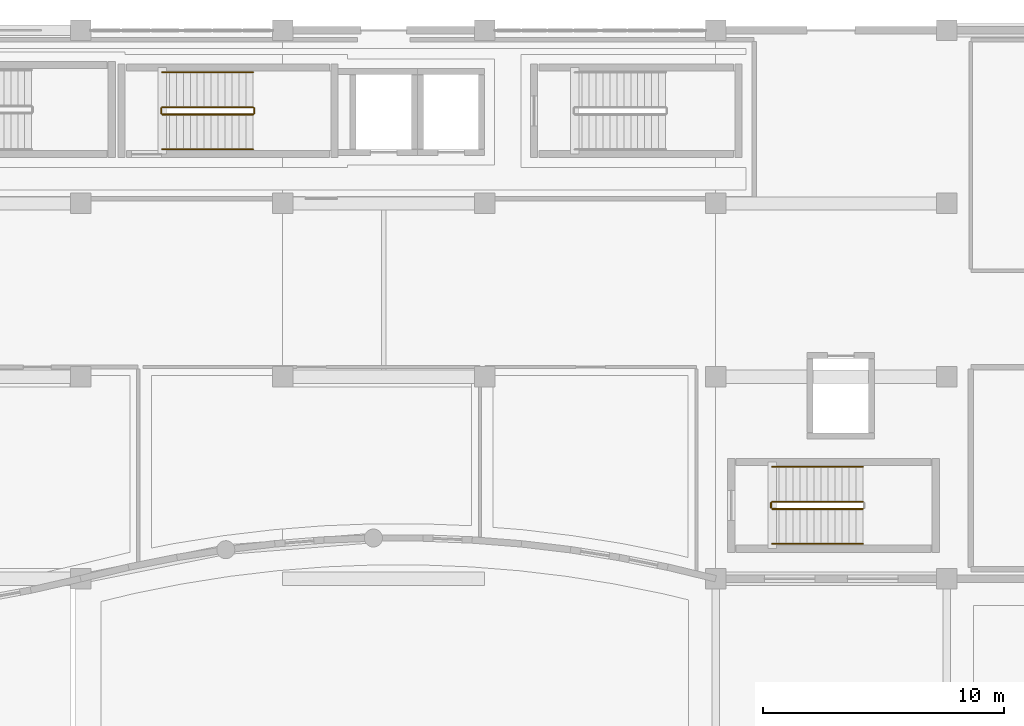
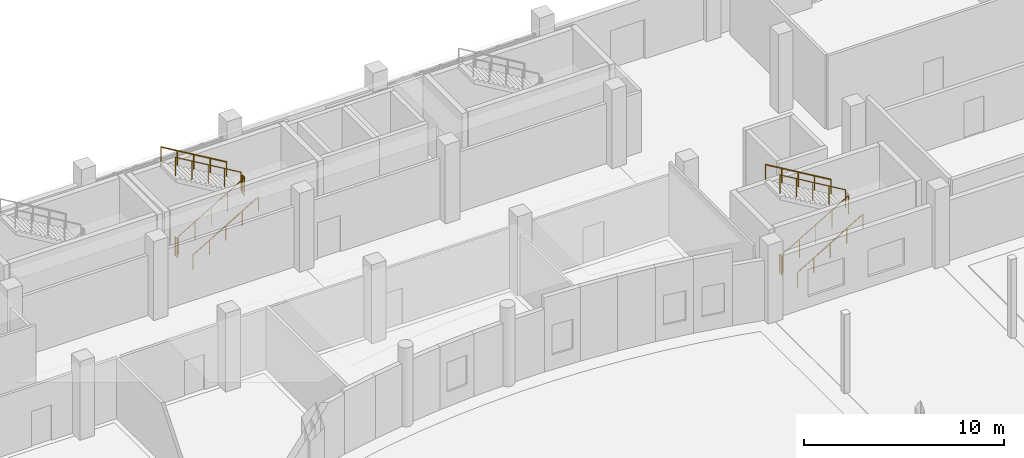
# One storey, part 90 of 97: 11 railings.
"""IFC4 building model written with IfcOpenShell, lengths in metres."""

from ifc_helpers import new_model, si_unit, direction, frame, origin, origin_2d, place, context, subcontext, project, spatial, circle, extrude, material, type_object, element, save


model = new_model("IFC4")

# Units and contexts
model_context = context("Model", 3, precision=1e-05, world=origin(), true_north=direction((0.0, 1.0)))
body_context = subcontext(model_context, "Body", "Model", "MODEL_VIEW")
ifc_project = project(units=[si_unit("LENGTHUNIT", "METRE"), si_unit("AREAUNIT", "SQUARE_METRE"), si_unit("VOLUMEUNIT", "CUBIC_METRE"), si_unit("PLANEANGLEUNIT", "RADIAN"), si_unit("MASSUNIT", "GRAM", prefix="KILO")], contexts=[model_context])

# Site, building, storey
site_placement = place(None, origin())
site = spatial("IfcSite", under=ifc_project, at=site_placement, CompositionType="ELEMENT")
building_placement = place(site_placement, origin())
building = spatial("IfcBuilding", under=site, at=building_placement, Name="Kisaragi Civic Commons", CompositionType="ELEMENT")
storey_placement = place(building_placement, origin())
storey = spatial("IfcBuildingStorey", under=building, at=storey_placement, Name="L00", CompositionType="ELEMENT", Elevation=0.0)

# Railings
ifc_material = material(Name="Powder-coated architectural steel and hinoki cap rail", Category="steel")
railing_type_1 = type_object("IfcRailingType", Name="GRD-S1", PredefinedType="GUARDRAIL", material=ifc_material)
railing_1_placement = place(storey_placement, frame((100.60009765625, 115.300048828125, 0.17138671875)))
element("IfcRailing", 1, at=railing_1_placement, inside=storey, type_object=railing_type_1, Name="L00 ST-L1 stair guard 1", PredefinedType="GUARDRAIL", context=body_context, shape_type="SweptSolid", body=[
    extrude(circle(Radius=0.02392578125, at=origin_2d()), frame((0.0, 0.0, 1.1259765625), z_axis=(0.860848830602, 0.0, 0.508860777473), x_axis=(0.0, 1.0, 0.0)), (0.0, 0.0, 1.0), 4.37939453125),
    extrude(circle(Radius=0.02099609375, at=origin_2d()), origin(), (0.0, 0.0, 1.0), 1.101806640625),
    extrude(circle(Radius=0.02099609375, at=origin_2d()), frame((0.9423828125, 0.0, 0.55712890625)), (0.0, 0.0, 1.0), 1.101806640625),
    extrude(circle(Radius=0.02099609375, at=origin_2d()), frame((1.885009765625, 0.0, 1.1142578125)), (0.0, 0.0, 1.0), 1.101806640625),
    extrude(circle(Radius=0.02099609375, at=origin_2d()), frame((2.82763671875, 0.0, 1.67138671875)), (0.0, 0.0, 1.0), 1.101806640625),
    extrude(circle(Radius=0.02099609375, at=origin_2d()), frame((3.77001953125, 0.0, 2.228515625)), (0.0, 0.0, 1.0), 1.101806640625),
])
railing_2_placement = place(storey_placement, frame((104.419921875, 115.35009765625, 2.39990234375)))
element("IfcRailing", 2, at=railing_2_placement, inside=storey, type_object=railing_type_1, Name="L00 ST-L1 stair guard 2", PredefinedType="GUARDRAIL", context=body_context, shape_type="SweptSolid", body=[
    extrude(circle(Radius=0.02392578125, at=origin_2d()), frame((0.0, 0.0, 1.1259765625), z_axis=(0.0, 1.0, 0.0), x_axis=(-1.0, 0.0, 0.0)), (0.0, 0.0, 1.0), 0.199951171875),
    extrude(circle(Radius=0.02099609375, at=origin_2d()), origin(), (0.0, 0.0, 1.0), 1.101806640625),
    extrude(circle(Radius=0.02099609375, at=origin_2d()), frame((0.0, 0.199951171875, 0.0)), (0.0, 0.0, 1.0), 1.101806640625),
])
railing_3_placement = place(storey_placement, frame((104.3701171875, 115.60009765625, 2.571533203125)))
element("IfcRailing", 3, at=railing_3_placement, inside=storey, type_object=railing_type_1, Name="L00 ST-L1 stair guard 3", PredefinedType="GUARDRAIL", context=body_context, shape_type="SweptSolid", body=[
    extrude(circle(Radius=0.02392578125, at=origin_2d()), frame((0.0, 0.0, 1.1259765625), z_axis=(-0.860848830602, 0.0, 0.508860777473), x_axis=(0.0, -1.0, 0.0)), (0.0, 0.0, 1.0), 4.37939453125),
    extrude(circle(Radius=0.02099609375, at=origin_2d()), origin(), (0.0, 0.0, 1.0), 1.101806640625),
    extrude(circle(Radius=0.02099609375, at=origin_2d()), frame((-0.9423828125, 0.0, 0.55712890625)), (0.0, 0.0, 1.0), 1.101806640625),
    extrude(circle(Radius=0.02099609375, at=origin_2d()), frame((-1.885009765625, 0.0, 1.1142578125)), (0.0, 0.0, 1.0), 1.101806640625),
    extrude(circle(Radius=0.02099609375, at=origin_2d()), frame((-2.82763671875, 0.0, 1.67138671875)), (0.0, 0.0, 1.0), 1.101806640625),
    extrude(circle(Radius=0.02099609375, at=origin_2d()), frame((-3.77001953125, 0.0, 2.228515625)), (0.0, 0.0, 1.0), 1.101806640625),
])
railing_4_placement = place(storey_placement, frame((100.550048828125, 115.35009765625, 0.0)))
element("IfcRailing", 4, at=railing_4_placement, inside=storey, type_object=railing_type_1, Name="L00 ST-L1 stair guard 4", PredefinedType="GUARDRAIL", context=body_context, shape_type="SweptSolid", body=[
    extrude(circle(Radius=0.02392578125, at=origin_2d()), frame((0.0, 0.0, 1.1259765625), z_axis=(0.0, 1.0, 0.0), x_axis=(-1.0, 0.0, 0.0)), (0.0, 0.0, 1.0), 0.199951171875),
    extrude(circle(Radius=0.02099609375, at=origin_2d()), origin(), (0.0, 0.0, 1.0), 1.101806640625),
    extrude(circle(Radius=0.02099609375, at=origin_2d()), frame((0.0, 0.199951171875, 0.0)), (0.0, 0.0, 1.0), 1.101806640625),
])
railing_5_placement = place(storey_placement, frame((125.949951171875, 98.89990234375, 0.17138671875)))
element("IfcRailing", 5, at=railing_5_placement, inside=storey, type_object=railing_type_1, Name="L00 ST-L3 stair guard 1", PredefinedType="GUARDRAIL", context=body_context, shape_type="SweptSolid", body=[
    extrude(circle(Radius=0.02392578125, at=origin_2d()), frame((0.0, 0.0, 1.1259765625), z_axis=(0.860848830602, 0.0, 0.508860777473), x_axis=(0.0, 1.0, 0.0)), (0.0, 0.0, 1.0), 4.37939453125),
    extrude(circle(Radius=0.02099609375, at=origin_2d()), origin(), (0.0, 0.0, 1.0), 1.101806640625),
    extrude(circle(Radius=0.02099609375, at=origin_2d()), frame((0.9423828125, 0.0, 0.55712890625)), (0.0, 0.0, 1.0), 1.101806640625),
    extrude(circle(Radius=0.02099609375, at=origin_2d()), frame((1.885009765625, 0.0, 1.1142578125)), (0.0, 0.0, 1.0), 1.101806640625),
    extrude(circle(Radius=0.02099609375, at=origin_2d()), frame((2.82763671875, 0.0, 1.67138671875)), (0.0, 0.0, 1.0), 1.101806640625),
    extrude(circle(Radius=0.02099609375, at=origin_2d()), frame((3.77001953125, 0.0, 2.228515625)), (0.0, 0.0, 1.0), 1.101806640625),
])
railing_6_placement = place(storey_placement, frame((129.719970703125, 99.199951171875, 2.571533203125)))
element("IfcRailing", 6, at=railing_6_placement, inside=storey, type_object=railing_type_1, Name="L00 ST-L3 stair guard 3", PredefinedType="GUARDRAIL", context=body_context, shape_type="SweptSolid", body=[
    extrude(circle(Radius=0.02392578125, at=origin_2d()), frame((0.0, 0.0, 1.1259765625), z_axis=(-0.860848830602, 0.0, 0.508860777473), x_axis=(0.0, -1.0, 0.0)), (0.0, 0.0, 1.0), 4.37939453125),
    extrude(circle(Radius=0.02099609375, at=origin_2d()), origin(), (0.0, 0.0, 1.0), 1.101806640625),
    extrude(circle(Radius=0.02099609375, at=origin_2d()), frame((-0.9423828125, 0.0, 0.55712890625)), (0.0, 0.0, 1.0), 1.101806640625),
    extrude(circle(Radius=0.02099609375, at=origin_2d()), frame((-1.885009765625, 0.0, 1.1142578125)), (0.0, 0.0, 1.0), 1.101806640625),
    extrude(circle(Radius=0.02099609375, at=origin_2d()), frame((-2.82763671875, 0.0, 1.67138671875)), (0.0, 0.0, 1.0), 1.101806640625),
    extrude(circle(Radius=0.02099609375, at=origin_2d()), frame((-3.77001953125, 0.0, 2.228515625)), (0.0, 0.0, 1.0), 1.101806640625),
])
railing_7_placement = place(storey_placement, frame((125.89990234375, 98.949951171875, 0.0)))
element("IfcRailing", 7, at=railing_7_placement, inside=storey, type_object=railing_type_1, Name="L00 ST-L3 stair guard 4", PredefinedType="GUARDRAIL", context=body_context, shape_type="SweptSolid", body=[
    extrude(circle(Radius=0.02392578125, at=origin_2d()), frame((0.0, 0.0, 1.1259765625), z_axis=(0.0, 1.0, 0.0), x_axis=(-1.0, 0.0, 0.0)), (0.0, 0.0, 1.0), 0.199951171875),
    extrude(circle(Radius=0.02099609375, at=origin_2d()), origin(), (0.0, 0.0, 1.0), 1.101806640625),
    extrude(circle(Radius=0.02099609375, at=origin_2d()), frame((0.0, 0.199951171875, 0.0)), (0.0, 0.0, 1.0), 1.101806640625),
])
railing_type_2 = type_object("IfcRailingType", Name="HRL-01", PredefinedType="HANDRAIL", material=ifc_material)
railing_8_placement = place(storey_placement, frame((100.60009765625, 113.85009765625, 0.17138671875)))
element("IfcRailing", 8, at=railing_8_placement, inside=storey, type_object=railing_type_2, Name="L00 ST-L1 stair handrail 1", PredefinedType="HANDRAIL", context=body_context, shape_type="SweptSolid", body=[
    extrude(circle(Radius=0.02392578125, at=origin_2d()), frame((0.0, 0.0, 0.8759765625), z_axis=(0.860848830602, 0.0, 0.508860777473), x_axis=(0.0, 1.0, 0.0)), (0.0, 0.0, 1.0), 4.37939453125),
    extrude(circle(Radius=0.02099609375, at=origin_2d()), origin(), (0.0, 0.0, 1.0), 0.851806640625),
    extrude(circle(Radius=0.02099609375, at=origin_2d()), frame((0.9423828125, 0.0, 0.55712890625)), (0.0, 0.0, 1.0), 0.851806640625),
    extrude(circle(Radius=0.02099609375, at=origin_2d()), frame((1.885009765625, 0.0, 1.1142578125)), (0.0, 0.0, 1.0), 0.851806640625),
    extrude(circle(Radius=0.02099609375, at=origin_2d()), frame((2.82763671875, 0.0, 1.67138671875)), (0.0, 0.0, 1.0), 0.851806640625),
    extrude(circle(Radius=0.02099609375, at=origin_2d()), frame((3.77001953125, 0.0, 2.228515625)), (0.0, 0.0, 1.0), 0.851806640625),
])
railing_9_placement = place(storey_placement, frame((104.3701171875, 117.050048828125, 2.571533203125)))
element("IfcRailing", 9, at=railing_9_placement, inside=storey, type_object=railing_type_2, Name="L00 ST-L1 stair handrail 2", PredefinedType="HANDRAIL", context=body_context, shape_type="SweptSolid", body=[
    extrude(circle(Radius=0.02392578125, at=origin_2d()), frame((0.0, 0.0, 0.8759765625), z_axis=(-0.860848830602, 0.0, 0.508860777473), x_axis=(0.0, -1.0, 0.0)), (0.0, 0.0, 1.0), 4.37939453125),
    extrude(circle(Radius=0.02099609375, at=origin_2d()), origin(), (0.0, 0.0, 1.0), 0.851806640625),
    extrude(circle(Radius=0.02099609375, at=origin_2d()), frame((-0.9423828125, 0.0, 0.55712890625)), (0.0, 0.0, 1.0), 0.851806640625),
    extrude(circle(Radius=0.02099609375, at=origin_2d()), frame((-1.885009765625, 0.0, 1.1142578125)), (0.0, 0.0, 1.0), 0.851806640625),
    extrude(circle(Radius=0.02099609375, at=origin_2d()), frame((-2.82763671875, 0.0, 1.67138671875)), (0.0, 0.0, 1.0), 0.851806640625),
    extrude(circle(Radius=0.02099609375, at=origin_2d()), frame((-3.77001953125, 0.0, 2.228515625)), (0.0, 0.0, 1.0), 0.851806640625),
])
railing_10_placement = place(storey_placement, frame((125.949951171875, 97.449951171875, 0.17138671875)))
element("IfcRailing", 10, at=railing_10_placement, inside=storey, type_object=railing_type_2, Name="L00 ST-L3 stair handrail 1", PredefinedType="HANDRAIL", context=body_context, shape_type="SweptSolid", body=[
    extrude(circle(Radius=0.02392578125, at=origin_2d()), frame((0.0, 0.0, 0.8759765625), z_axis=(0.860848830602, 0.0, 0.508860777473), x_axis=(0.0, 1.0, 0.0)), (0.0, 0.0, 1.0), 4.37939453125),
    extrude(circle(Radius=0.02099609375, at=origin_2d()), origin(), (0.0, 0.0, 1.0), 0.851806640625),
    extrude(circle(Radius=0.02099609375, at=origin_2d()), frame((0.9423828125, 0.0, 0.55712890625)), (0.0, 0.0, 1.0), 0.851806640625),
    extrude(circle(Radius=0.02099609375, at=origin_2d()), frame((1.885009765625, 0.0, 1.1142578125)), (0.0, 0.0, 1.0), 0.851806640625),
    extrude(circle(Radius=0.02099609375, at=origin_2d()), frame((2.82763671875, 0.0, 1.67138671875)), (0.0, 0.0, 1.0), 0.851806640625),
    extrude(circle(Radius=0.02099609375, at=origin_2d()), frame((3.77001953125, 0.0, 2.228515625)), (0.0, 0.0, 1.0), 0.851806640625),
])
railing_11_placement = place(storey_placement, frame((129.719970703125, 100.64990234375, 2.571533203125)))
element("IfcRailing", 11, at=railing_11_placement, inside=storey, type_object=railing_type_2, Name="L00 ST-L3 stair handrail 2", PredefinedType="HANDRAIL", context=body_context, shape_type="SweptSolid", body=[
    extrude(circle(Radius=0.02392578125, at=origin_2d()), frame((0.0, 0.0, 0.8759765625), z_axis=(-0.860848830602, 0.0, 0.508860777473), x_axis=(0.0, -1.0, 0.0)), (0.0, 0.0, 1.0), 4.37939453125),
    extrude(circle(Radius=0.02099609375, at=origin_2d()), origin(), (0.0, 0.0, 1.0), 0.851806640625),
    extrude(circle(Radius=0.02099609375, at=origin_2d()), frame((-0.9423828125, 0.0, 0.55712890625)), (0.0, 0.0, 1.0), 0.851806640625),
    extrude(circle(Radius=0.02099609375, at=origin_2d()), frame((-1.885009765625, 0.0, 1.1142578125)), (0.0, 0.0, 1.0), 0.851806640625),
    extrude(circle(Radius=0.02099609375, at=origin_2d()), frame((-2.82763671875, 0.0, 1.67138671875)), (0.0, 0.0, 1.0), 0.851806640625),
    extrude(circle(Radius=0.02099609375, at=origin_2d()), frame((-3.77001953125, 0.0, 2.228515625)), (0.0, 0.0, 1.0), 0.851806640625),
])

save(model, "model.ifc")
